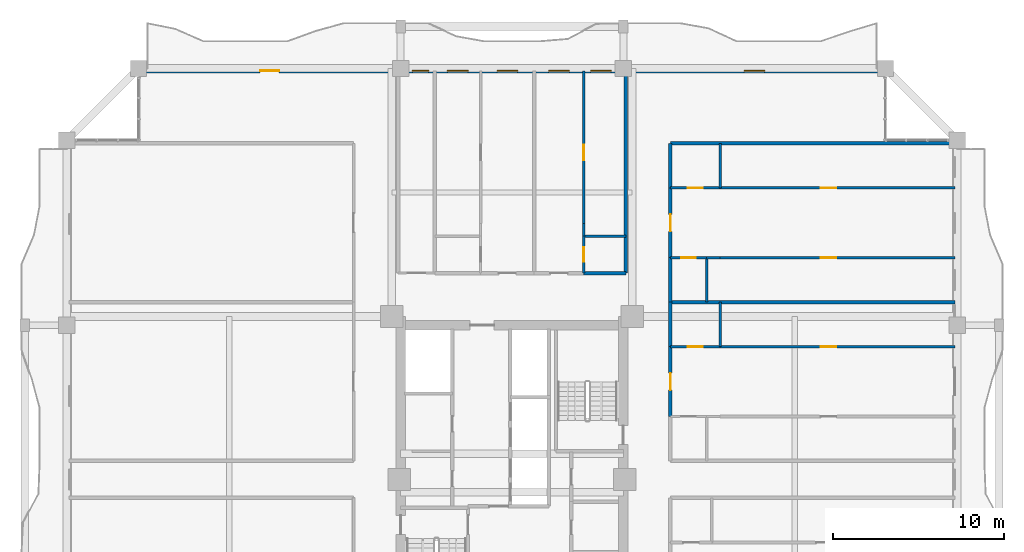
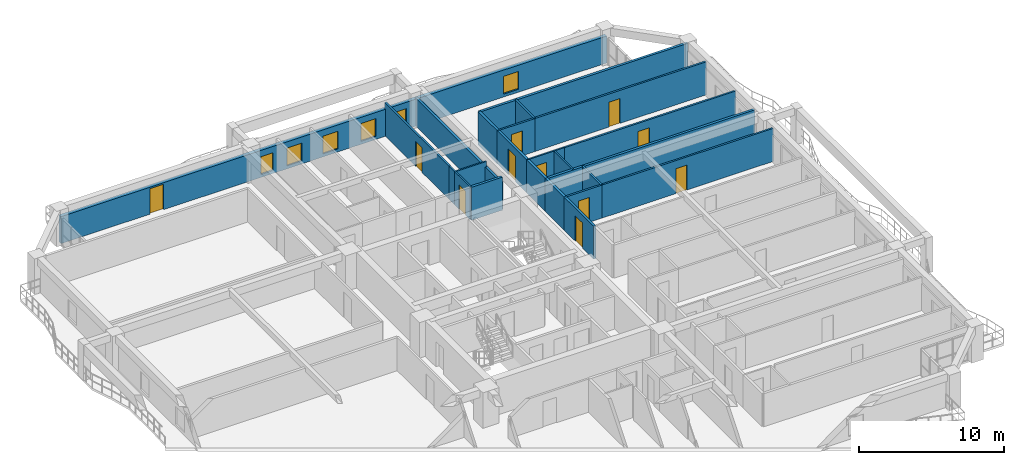
# One storey, part 18 of 24: 24 walls, 11 doors, 6 windows, 17 openings.
"""IFC4 building model written with IfcOpenShell, lengths in metres."""

from ifc_helpers import new_model, si_unit, direction, frame, frame_2d, origin, place, context, subcontext, project, spatial, rectangle, extrude, source, transform, mapped, material, layer, layer_set, type_object, element, fill, save


model = new_model("IFC4")

# Units and contexts
model_context = context("Model", 3, precision=1e-05, world=origin(), true_north=direction((0.0, 1.0)))
body_context = subcontext(model_context, "Body", "Model", "MODEL_VIEW")
ifc_project = project(units=[si_unit("LENGTHUNIT", "METRE"), si_unit("AREAUNIT", "SQUARE_METRE"), si_unit("VOLUMEUNIT", "CUBIC_METRE"), si_unit("PLANEANGLEUNIT", "RADIAN"), si_unit("MASSUNIT", "GRAM", prefix="KILO")], contexts=[model_context])

# Site, building, storey
site_placement = place(None, origin())
site = spatial("IfcSite", under=ifc_project, at=site_placement, CompositionType="ELEMENT")
building_placement = place(site_placement, origin())
building = spatial("IfcBuilding", under=site, at=building_placement, Name="Saelheon Loggia Tower", CompositionType="ELEMENT")
storey_placement = place(building_placement, frame((0.0, 0.0, 98.85009765625)))
storey = spatial("IfcBuildingStorey", under=building, at=storey_placement, Name="L31", CompositionType="ELEMENT", Elevation=98.85009765625)

# Wall, openings, windows, door
ifc_material_1 = material(Name="Architectural Precast Concrete C40/50", Category="concrete")
ifc_layer_1 = layer(ifc_material_1, 0.280029296875)
ifc_layer_set_1 = layer_set([ifc_layer_1], Name="Architectural Precast Concrete C40/50")
wall_type_1 = type_object("IfcWallType", Name="Wall_Ext_Loggia_280", PredefinedType="SOLIDWALL", material=ifc_layer_set_1)
wall_1_placement = place(storey_placement, frame((16.199951171875, 50.860107421875, 0.0), z_axis=(0.0, 0.0, 1.0), x_axis=(1.0, 0.0, 0.0)))
wall_1 = element("IfcWall", 1, at=wall_1_placement, inside=storey, type_object=wall_type_1, Name="L31 North Loggia Inner Wall", PredefinedType="SOLIDWALL", context=body_context, shape_type="SweptSolid", body=[
    extrude(rectangle(XDim=43.60009765625, YDim=0.280029296875, at=frame_2d((21.800048828125, 0.0))), origin(), (0.0, 0.0, 1.0), 2.27978515625),
])
opening_1_placement = place(wall_1_placement, frame((7.10009765625, 0.0, 0.0)))
opening_1 = element("IfcOpeningElement", 2, at=opening_1_placement, cuts=wall_1, Name="Opening TD1", PredefinedType="OPENING", context=body_context, shape_type="SweptSolid", body=[
    extrude(rectangle(XDim=1.10009765625, YDim=2.14990234375, at=frame_2d((0.550048828125, 1.074951171875))), frame((0.0, 0.152099609375, 0.0), z_axis=(0.0, -1.0, 0.0), x_axis=(1.0, 0.0, 0.0)), (0.0, 0.0, 1.0), 0.303955078125),
])
opening_2_placement = place(wall_1_placement, frame((15.982421875, 0.0, 0.25)))
opening_2 = element("IfcOpeningElement", 3, at=opening_2_placement, cuts=wall_1, Name="Opening WN-04", PredefinedType="OPENING", context=body_context, shape_type="SweptSolid", body=[
    extrude(rectangle(XDim=0.949951171875, YDim=1.5, at=frame_2d((0.47509765625, 0.75))), frame((0.0, 0.152099609375, 0.0), z_axis=(0.0, -1.0, 0.0), x_axis=(1.0, 0.0, 0.0)), (0.0, 0.0, 1.0), 0.303955078125),
])
opening_3_placement = place(wall_1_placement, frame((18.033447265625, 0.0, 0.25)))
opening_3 = element("IfcOpeningElement", 4, at=opening_3_placement, cuts=wall_1, Name="Opening WN-03", PredefinedType="OPENING", context=body_context, shape_type="SweptSolid", body=[
    extrude(rectangle(XDim=1.199951171875, YDim=1.5, at=frame_2d((0.60009765625, 0.75))), frame((0.0, 0.152099609375, 0.0), z_axis=(0.0, -1.0, 0.0), x_axis=(1.0, 0.0, 0.0)), (0.0, 0.0, 1.0), 0.303955078125),
])
opening_4_placement = place(wall_1_placement, frame((20.9326171875, 0.0, 0.25)))
opening_4 = element("IfcOpeningElement", 5, at=opening_4_placement, cuts=wall_1, Name="Opening WN-03", PredefinedType="OPENING", context=body_context, shape_type="SweptSolid", body=[
    extrude(rectangle(XDim=1.199951171875, YDim=1.5, at=frame_2d((0.60009765625, 0.75))), frame((0.0, 0.152099609375, 0.0), z_axis=(0.0, -1.0, 0.0), x_axis=(1.0, 0.0, 0.0)), (0.0, 0.0, 1.0), 0.303955078125),
])
opening_5_placement = place(wall_1_placement, frame((23.943115234375, 0.0, 0.25)))
opening_5 = element("IfcOpeningElement", 6, at=opening_5_placement, cuts=wall_1, Name="Opening WN-03", PredefinedType="OPENING", context=body_context, shape_type="SweptSolid", body=[
    extrude(rectangle(XDim=1.199951171875, YDim=1.5, at=frame_2d((0.60009765625, 0.75))), frame((0.0, 0.152099609375, 0.0), z_axis=(0.0, -1.0, 0.0), x_axis=(1.0, 0.0, 0.0)), (0.0, 0.0, 1.0), 0.303955078125),
])
opening_6_placement = place(wall_1_placement, frame((26.386474609375, 0.0, 0.25)))
opening_6 = element("IfcOpeningElement", 7, at=opening_6_placement, cuts=wall_1, Name="Opening WN-03", PredefinedType="OPENING", context=body_context, shape_type="SweptSolid", body=[
    extrude(rectangle(XDim=1.199951171875, YDim=1.5, at=frame_2d((0.60009765625, 0.75))), frame((0.0, 0.152099609375, 0.0), z_axis=(0.0, -1.0, 0.0), x_axis=(1.0, 0.0, 0.0)), (0.0, 0.0, 1.0), 0.303955078125),
])
opening_7_placement = place(wall_1_placement, frame((35.35009765625, 0.0, 0.25)))
opening_7 = element("IfcOpeningElement", 8, at=opening_7_placement, cuts=wall_1, Name="Opening WN-03", PredefinedType="OPENING", context=body_context, shape_type="SweptSolid", body=[
    extrude(rectangle(XDim=1.199951171875, YDim=1.5, at=frame_2d((0.60009765625, 0.75))), frame((0.0, 0.152099609375, 0.0), z_axis=(0.0, -1.0, 0.0), x_axis=(1.0, 0.0, 0.0)), (0.0, 0.0, 1.0), 0.303955078125),
])
ifc_material_2 = material(Name="Thermal-Break Aluminium and Triple Low-E Glass", Category="aluminium")
window_type_1 = type_object("IfcWindowType", Name="Win_Bedroom_1200x1500", PartitioningType="SINGLE_PANEL", PredefinedType="WINDOW", material=ifc_material_2)
shared_shape_1 = source(origin(), body_context, "Body", "SweptSolid", [
    extrude(rectangle(XDim=1.199951171875, YDim=1.5, at=frame_2d((0.60009765625, 0.75))), frame((0.0, 0.030029296875, 0.0), z_axis=(0.0, -1.0, 0.0), x_axis=(1.0, 0.0, 0.0)), (0.0, 0.0, 1.0), 0.06005859375),
])
window_1_placement = place(opening_3_placement, origin())
window_1 = element("IfcWindow", 9, at=window_1_placement, inside=storey, type_object=window_type_1, Name="L31 N Dwelling Window 3", OverallHeight=1.5, OverallWidth=1.199951171875, PartitioningType="SINGLE_PANEL", PredefinedType="WINDOW", context=body_context, shape_type="MappedRepresentation", body=[
    mapped(shared_shape_1, transform((0.0, 0.0, 0.0), scale=1.0)),
])
fill(opening_3, window_1)
window_2_placement = place(opening_4_placement, origin())
window_2 = element("IfcWindow", 10, at=window_2_placement, inside=storey, type_object=window_type_1, Name="L31 N Dwelling Window 4", OverallHeight=1.5, OverallWidth=1.199951171875, PartitioningType="SINGLE_PANEL", PredefinedType="WINDOW", context=body_context, shape_type="MappedRepresentation", body=[
    mapped(shared_shape_1, transform((0.0, 0.0, 0.0), scale=1.0)),
])
fill(opening_4, window_2)
window_3_placement = place(opening_5_placement, origin())
window_3 = element("IfcWindow", 11, at=window_3_placement, inside=storey, type_object=window_type_1, Name="L31 N Dwelling Window 5", OverallHeight=1.5, OverallWidth=1.199951171875, PartitioningType="SINGLE_PANEL", PredefinedType="WINDOW", context=body_context, shape_type="MappedRepresentation", body=[
    mapped(shared_shape_1, transform((0.0, 0.0, 0.0), scale=1.0)),
])
fill(opening_5, window_3)
window_4_placement = place(opening_6_placement, origin())
window_4 = element("IfcWindow", 12, at=window_4_placement, inside=storey, type_object=window_type_1, Name="L31 N Dwelling Window 6", OverallHeight=1.5, OverallWidth=1.199951171875, PartitioningType="SINGLE_PANEL", PredefinedType="WINDOW", context=body_context, shape_type="MappedRepresentation", body=[
    mapped(shared_shape_1, transform((0.0, 0.0, 0.0), scale=1.0)),
])
fill(opening_6, window_4)
window_5_placement = place(opening_7_placement, origin())
window_5 = element("IfcWindow", 13, at=window_5_placement, inside=storey, type_object=window_type_1, Name="L31 N Dwelling Window 7", OverallHeight=1.5, OverallWidth=1.199951171875, PartitioningType="SINGLE_PANEL", PredefinedType="WINDOW", context=body_context, shape_type="MappedRepresentation", body=[
    mapped(shared_shape_1, transform((0.0, 0.0, 0.0), scale=1.0)),
])
fill(opening_7, window_5)
ifc_material_3 = material(Name="Thermal-Break Aluminium Glazed Door", Category="aluminium")
door_type_1 = type_object("IfcDoorType", Name="Door_Terrace_TD1", OperationType="NOTDEFINED", PredefinedType="DOOR", material=ifc_material_3)
shared_shape_2 = source(origin(), body_context, "Body", "SweptSolid", [
    extrude(rectangle(XDim=1.10009765625, YDim=2.14990234375, at=frame_2d((0.550048828125, 1.074951171875))), frame((0.0, 0.02490234375, 0.0), z_axis=(0.0, -1.0, 0.0), x_axis=(1.0, 0.0, 0.0)), (0.0, 0.0, 1.0), 0.050048828125),
])
door_1_placement = place(opening_1_placement, origin())
door_1 = element("IfcDoor", 14, at=door_1_placement, inside=storey, type_object=door_type_1, Name="L31 N Loggia Access Door", OperationType="SINGLE_SWING_LEFT", OverallHeight=2.14990234375, OverallWidth=1.10009765625, PredefinedType="DOOR", context=body_context, shape_type="MappedRepresentation", body=[
    mapped(shared_shape_2, transform((0.0, 0.0, 0.0), scale=1.0)),
])
fill(opening_1, door_1)
window_type_2 = type_object("IfcWindowType", Name="Win_Narrow_950x1500", PartitioningType="SINGLE_PANEL", PredefinedType="WINDOW", material=ifc_material_2)
shared_shape_3 = source(origin(), body_context, "Body", "SweptSolid", [
    extrude(rectangle(XDim=0.949951171875, YDim=1.5, at=frame_2d((0.47509765625, 0.75))), frame((0.0, 0.030029296875, 0.0), z_axis=(0.0, -1.0, 0.0), x_axis=(1.0, 0.0, 0.0)), (0.0, 0.0, 1.0), 0.06005859375),
])
window_6_placement = place(opening_2_placement, origin())
window_6 = element("IfcWindow", 15, at=window_6_placement, inside=storey, type_object=window_type_2, Name="L31 N Dwelling Window 2", OverallHeight=1.5, OverallWidth=0.949951171875, PartitioningType="SINGLE_PANEL", PredefinedType="WINDOW", context=body_context, shape_type="MappedRepresentation", body=[
    mapped(shared_shape_3, transform((0.0, 0.0, 0.0), scale=1.0)),
])
fill(opening_2, window_6)

# Wall, opening, door
ifc_material_4 = material(Name="Lightweight Autoclaved Aerated Concrete Block and Acoustic Gypsum", Category="concrete")
ifc_layer_2 = layer(ifc_material_4, 0.14990234375)
ifc_layer_set_2 = layer_set([ifc_layer_2], Name="Lightweight Autoclaved Aerated Concrete Block and Acoustic Gypsum")
wall_type_2 = type_object("IfcWallType", Name="Wall_Part_150", PredefinedType="PARTITIONING", material=ifc_layer_set_2)
wall_2_placement = place(storey_placement, frame((42.18798828125, 41.949951171875, 0.0), z_axis=(0.0, 0.0, 1.0), x_axis=(0.0, 1.0, 0.0)))
wall_2 = element("IfcWall", 16, at=wall_2_placement, inside=storey, type_object=wall_type_2, Name="L31 N Partition U17", PredefinedType="PARTITIONING", context=body_context, shape_type="SweptSolid", body=[
    extrude(rectangle(XDim=8.900146484375, YDim=0.14990234375, at=frame_2d((4.4501953125, 0.0))), origin(), (0.0, 0.0, 1.0), 2.789794921875),
])
opening_8_placement = place(wall_2_placement, frame((3.686767578125, 0.0, 0.0)))
opening_8 = element("IfcOpeningElement", 17, at=opening_8_placement, cuts=wall_2, Name="Opening D-IN2", PredefinedType="OPENING", context=body_context, shape_type="SweptSolid", body=[
    extrude(rectangle(XDim=0.89990234375, YDim=2.10009765625, at=frame_2d((0.449951171875, 1.050048828125))), frame((0.0, 0.0869140625, 0.0), z_axis=(0.0, -1.0, 0.0), x_axis=(1.0, 0.0, 0.0)), (0.0, 0.0, 1.0), 0.173828125),
])
ifc_material_5 = material(Name="Engineered Oak Flush Door", Category="timber")
door_type_2 = type_object("IfcDoorType", Name="Door_Int_900", OperationType="NOTDEFINED", PredefinedType="DOOR", material=ifc_material_5)
shared_shape_4 = source(origin(), body_context, "Body", "SweptSolid", [
    extrude(rectangle(XDim=0.89990234375, YDim=2.10009765625, at=frame_2d((0.449951171875, 1.050048828125))), frame((0.0, 0.02490234375, 0.0), z_axis=(0.0, -1.0, 0.0), x_axis=(1.0, 0.0, 0.0)), (0.0, 0.0, 1.0), 0.050048828125),
])
door_2_placement = place(opening_8_placement, origin())
door_2 = element("IfcDoor", 18, at=door_2_placement, inside=storey, type_object=door_type_2, Name="Unit U03 Kitchen Door", OperationType="SINGLE_SWING_LEFT", OverallHeight=2.10009765625, OverallWidth=0.89990234375, PredefinedType="DOOR", context=body_context, shape_type="MappedRepresentation", body=[
    mapped(shared_shape_4, transform((0.0, 0.0, 0.0), scale=1.0)),
])
fill(opening_8, door_2)

# Wall
wall_3_placement = place(storey_placement, frame((50.14990234375, 34.75, 0.0), z_axis=(0.0, 0.0, 1.0), x_axis=(0.0, 1.0, 0.0)))
element("IfcWall", 19, at=wall_3_placement, inside=storey, type_object=wall_type_2, Name="L31 EN Partition V07", PredefinedType="PARTITIONING", context=body_context, shape_type="SweptSolid", body=[
    extrude(rectangle(XDim=2.60009765625, YDim=0.14990234375, at=frame_2d((1.300048828125, 0.0))), origin(), (0.0, 0.0, 1.0), 2.789794921875),
])

# Wall, opening, door
wall_4_placement = place(storey_placement, frame((47.25, 34.75, 0.0), z_axis=(0.0, 0.0, 1.0), x_axis=(1.0, 0.0, 0.0)))
wall_4 = element("IfcWall", 20, at=wall_4_placement, inside=storey, type_object=wall_type_2, Name="L31 EN Partition U11", PredefinedType="PARTITIONING", context=body_context, shape_type="SweptSolid", body=[
    extrude(rectangle(XDim=2.89990234375, YDim=0.14990234375, at=frame_2d((1.449951171875, 0.0))), origin(), (0.0, 0.0, 1.0), 2.789794921875),
])
opening_9_placement = place(wall_4_placement, frame((1.0, 0.0, 0.0)))
opening_9 = element("IfcOpeningElement", 21, at=opening_9_placement, cuts=wall_4, Name="Opening D-IN2", PredefinedType="OPENING", context=body_context, shape_type="SweptSolid", body=[
    extrude(rectangle(XDim=0.89990234375, YDim=2.10009765625, at=frame_2d((0.449951171875, 1.050048828125))), frame((0.0, 0.0869140625, 0.0), z_axis=(0.0, -1.0, 0.0), x_axis=(1.0, 0.0, 0.0)), (0.0, 0.0, 1.0), 0.173828125),
])
door_3_placement = place(opening_9_placement, origin())
door_3 = element("IfcDoor", 22, at=door_3_placement, inside=storey, type_object=door_type_2, Name="Unit U06 Dressing Closet Door", OperationType="SINGLE_SWING_LEFT", OverallHeight=2.10009765625, OverallWidth=0.89990234375, PredefinedType="DOOR", context=body_context, shape_type="MappedRepresentation", body=[
    mapped(shared_shape_4, transform((0.0, 0.0, 0.0), scale=1.0)),
])
fill(opening_9, door_3)

wall_5_placement = place(storey_placement, frame((50.14990234375, 34.75, 0.0), z_axis=(0.0, 0.0, 1.0), x_axis=(1.0, 0.0, 0.0)))
wall_5 = element("IfcWall", 23, at=wall_5_placement, inside=storey, type_object=wall_type_2, Name="L31 EN Partition U12", PredefinedType="PARTITIONING", context=body_context, shape_type="SweptSolid", body=[
    extrude(rectangle(XDim=13.7001953125, YDim=0.14990234375, at=frame_2d((6.85009765625, 0.0))), origin(), (0.0, 0.0, 1.0), 2.789794921875),
])
opening_10_placement = place(wall_5_placement, frame((5.88671875, 0.0, 0.0)))
opening_10 = element("IfcOpeningElement", 24, at=opening_10_placement, cuts=wall_5, Name="Opening D-IN2", PredefinedType="OPENING", context=body_context, shape_type="SweptSolid", body=[
    extrude(rectangle(XDim=0.89990234375, YDim=2.10009765625, at=frame_2d((0.449951171875, 1.050048828125))), frame((0.0, 0.0869140625, 0.0), z_axis=(0.0, -1.0, 0.0), x_axis=(1.0, 0.0, 0.0)), (0.0, 0.0, 1.0), 0.173828125),
])
door_4_placement = place(opening_10_placement, origin())
door_4 = element("IfcDoor", 25, at=door_4_placement, inside=storey, type_object=door_type_2, Name="Unit U06 Bedroom 1 Door", OperationType="SINGLE_SWING_RIGHT", OverallHeight=2.10009765625, OverallWidth=0.89990234375, PredefinedType="DOOR", context=body_context, shape_type="MappedRepresentation", body=[
    mapped(shared_shape_4, transform((0.0, 0.0, 0.0), scale=1.0)),
])
fill(opening_10, door_4)

# Wall
wall_6_placement = place(storey_placement, frame((50.14990234375, 44.02001953125, 0.0), z_axis=(0.0, 0.0, 1.0), x_axis=(0.0, 1.0, 0.0)))
element("IfcWall", 26, at=wall_6_placement, inside=storey, type_object=wall_type_2, Name="L31 EN Partition V18", PredefinedType="PARTITIONING", context=body_context, shape_type="SweptSolid", body=[
    extrude(rectangle(XDim=2.60009765625, YDim=0.14990234375, at=frame_2d((1.300048828125, 0.0))), origin(), (0.0, 0.0, 1.0), 2.789794921875),
])

# Wall, opening, door
wall_7_placement = place(storey_placement, frame((50.14990234375, 39.945556640625, 0.0), z_axis=(0.0, 0.0, 1.0), x_axis=(1.0, 0.0, 0.0)))
wall_7 = element("IfcWall", 27, at=wall_7_placement, inside=storey, type_object=wall_type_2, Name="L31 EN Partition U21", PredefinedType="PARTITIONING", context=body_context, shape_type="SweptSolid", body=[
    extrude(rectangle(XDim=13.7001953125, YDim=0.14990234375, at=frame_2d((6.85009765625, 0.0))), origin(), (0.0, 0.0, 1.0), 2.789794921875),
])
opening_11_placement = place(wall_7_placement, frame((5.88671875, 0.0, 0.0)))
opening_11 = element("IfcOpeningElement", 28, at=opening_11_placement, cuts=wall_7, Name="Opening D-IN2", PredefinedType="OPENING", context=body_context, shape_type="SweptSolid", body=[
    extrude(rectangle(XDim=0.89990234375, YDim=2.10009765625, at=frame_2d((0.449951171875, 1.050048828125))), frame((0.0, 0.0869140625, 0.0), z_axis=(0.0, -1.0, 0.0), x_axis=(1.0, 0.0, 0.0)), (0.0, 0.0, 1.0), 0.173828125),
])
door_5_placement = place(opening_11_placement, origin())
door_5 = element("IfcDoor", 29, at=door_5_placement, inside=storey, type_object=door_type_2, Name="Unit U07 Kitchen Door", OperationType="SINGLE_SWING_LEFT", OverallHeight=2.10009765625, OverallWidth=0.89990234375, PredefinedType="DOOR", context=body_context, shape_type="MappedRepresentation", body=[
    mapped(shared_shape_4, transform((0.0, 0.0, 0.0), scale=1.0)),
])
fill(opening_11, door_5)

wall_8_placement = place(storey_placement, frame((47.25, 44.02001953125, 0.0), z_axis=(0.0, 0.0, 1.0), x_axis=(1.0, 0.0, 0.0)))
wall_8 = element("IfcWall", 30, at=wall_8_placement, inside=storey, type_object=wall_type_2, Name="L31 EN Partition U22", PredefinedType="PARTITIONING", context=body_context, shape_type="SweptSolid", body=[
    extrude(rectangle(XDim=2.89990234375, YDim=0.14990234375, at=frame_2d((1.449951171875, 0.0))), origin(), (0.0, 0.0, 1.0), 2.789794921875),
])
opening_12_placement = place(wall_8_placement, frame((1.0, 0.0, 0.0)))
opening_12 = element("IfcOpeningElement", 31, at=opening_12_placement, cuts=wall_8, Name="Opening D-IN2", PredefinedType="OPENING", context=body_context, shape_type="SweptSolid", body=[
    extrude(rectangle(XDim=0.89990234375, YDim=2.10009765625, at=frame_2d((0.449951171875, 1.050048828125))), frame((0.0, 0.0869140625, 0.0), z_axis=(0.0, -1.0, 0.0), x_axis=(1.0, 0.0, 0.0)), (0.0, 0.0, 1.0), 0.173828125),
])
door_6_placement = place(opening_12_placement, origin())
door_6 = element("IfcDoor", 32, at=door_6_placement, inside=storey, type_object=door_type_2, Name="Unit U07 Dressing Closet Door", OperationType="SINGLE_SWING_RIGHT", OverallHeight=2.10009765625, OverallWidth=0.89990234375, PredefinedType="DOOR", context=body_context, shape_type="MappedRepresentation", body=[
    mapped(shared_shape_4, transform((0.0, 0.0, 0.0), scale=1.0)),
])
fill(opening_12, door_6)

wall_9_placement = place(storey_placement, frame((50.14990234375, 44.02001953125, 0.0), z_axis=(0.0, 0.0, 1.0), x_axis=(1.0, 0.0, 0.0)))
wall_9 = element("IfcWall", 33, at=wall_9_placement, inside=storey, type_object=wall_type_2, Name="L31 EN Partition U23", PredefinedType="PARTITIONING", context=body_context, shape_type="SweptSolid", body=[
    extrude(rectangle(XDim=13.7001953125, YDim=0.14990234375, at=frame_2d((6.85009765625, 0.0))), origin(), (0.0, 0.0, 1.0), 2.789794921875),
])
opening_13_placement = place(wall_9_placement, frame((5.88671875, 0.0, 0.0)))
opening_13 = element("IfcOpeningElement", 34, at=opening_13_placement, cuts=wall_9, Name="Opening D-IN2", PredefinedType="OPENING", context=body_context, shape_type="SweptSolid", body=[
    extrude(rectangle(XDim=0.89990234375, YDim=2.10009765625, at=frame_2d((0.449951171875, 1.050048828125))), frame((0.0, 0.0869140625, 0.0), z_axis=(0.0, -1.0, 0.0), x_axis=(1.0, 0.0, 0.0)), (0.0, 0.0, 1.0), 0.173828125),
])
door_7_placement = place(opening_13_placement, origin())
door_7 = element("IfcDoor", 35, at=door_7_placement, inside=storey, type_object=door_type_2, Name="Unit U07 Bedroom 1 Door", OperationType="SINGLE_SWING_LEFT", OverallHeight=2.10009765625, OverallWidth=0.89990234375, PredefinedType="DOOR", context=body_context, shape_type="MappedRepresentation", body=[
    mapped(shared_shape_4, transform((0.0, 0.0, 0.0), scale=1.0)),
])
fill(opening_13, door_7)

# Walls
ifc_material_6 = material(Name="Double Acoustic Stud and Fireboard Partition", Category="gypsum")
ifc_layer_3 = layer(ifc_material_6, 0.199951171875)
ifc_layer_set_3 = layer_set([ifc_layer_3], Name="Double Acoustic Stud and Fireboard Partition")
wall_type_3 = type_object("IfcWallType", Name="Wall_Party_200", PredefinedType="PARTITIONING", material=ifc_layer_set_3)
wall_10_placement = place(storey_placement, frame((44.64990234375, 39.050048828125, 0.0), z_axis=(0.0, 0.0, 1.0), x_axis=(0.0, 1.0, 0.0)))
element("IfcWall", 36, at=wall_10_placement, inside=storey, type_object=wall_type_3, Name="L31 N Partition U02", PredefinedType="PARTITIONING", context=body_context, shape_type="SweptSolid", body=[
    extrude(rectangle(XDim=11.800048828125, YDim=0.199951171875, at=frame_2d((5.89990234375, 0.0))), origin(), (0.0, 0.0, 1.0), 2.33984375),
])
wall_11_placement = place(storey_placement, frame((42.18798828125, 39.050048828125, 0.0), z_axis=(0.0, 0.0, 1.0), x_axis=(1.0, 0.0, 0.0)))
element("IfcWall", 37, at=wall_11_placement, inside=storey, type_object=wall_type_3, Name="L31 N Partition V13", PredefinedType="PARTITIONING", context=body_context, shape_type="SweptSolid", body=[
    extrude(rectangle(XDim=2.4619140625, YDim=0.199951171875, at=frame_2d((1.23095703125, 0.0))), origin(), (0.0, 0.0, 1.0), 2.789794921875),
])
wall_12_placement = place(storey_placement, frame((47.25, 46.6201171875, 0.0), z_axis=(0.0, 0.0, 1.0), x_axis=(1.0, 0.0, 0.0)))
element("IfcWall", 38, at=wall_12_placement, inside=storey, type_object=wall_type_3, Name="L31 EN Partition U02", PredefinedType="PARTITIONING", context=body_context, shape_type="SweptSolid", body=[
    extrude(rectangle(XDim=16.60009765625, YDim=0.199951171875, at=frame_2d((8.300048828125, 0.0))), origin(), (0.0, 0.0, 1.0), 2.789794921875),
])

# Wall, opening, door
wall_13_placement = place(storey_placement, frame((47.25, 30.675537109375, 0.0), z_axis=(0.0, 0.0, 1.0), x_axis=(0.0, 1.0, 0.0)))
wall_13 = element("IfcWall", 39, at=wall_13_placement, inside=storey, type_object=wall_type_3, Name="L31 EN Partition V04", PredefinedType="PARTITIONING", context=body_context, shape_type="SweptSolid", body=[
    extrude(rectangle(XDim=4.074462890625, YDim=0.199951171875, at=frame_2d((2.037109375, 0.0))), origin(), (0.0, 0.0, 1.0), 2.789794921875),
])
opening_14_placement = place(wall_13_placement, frame((1.537109375, 0.0, 0.0)))
opening_14 = element("IfcOpeningElement", 40, at=opening_14_placement, cuts=wall_13, Name="Opening D-FD1", PredefinedType="OPENING", context=body_context, shape_type="SweptSolid", body=[
    extrude(rectangle(XDim=1.0, YDim=2.14990234375, at=frame_2d((0.5, 1.074951171875))), frame((0.0, 0.112060546875, 0.0), z_axis=(0.0, -1.0, 0.0), x_axis=(1.0, 0.0, 0.0)), (0.0, 0.0, 1.0), 0.223876953125),
])
ifc_material_7 = material(Name="Fire-Rated Engineered Timber Entrance Door", Category="wood")
door_type_3 = type_object("IfcDoorType", Name="Door_Flat_FD30S", OperationType="NOTDEFINED", PredefinedType="DOOR", material=ifc_material_7)
shared_shape_5 = source(origin(), body_context, "Body", "SweptSolid", [
    extrude(rectangle(XDim=1.0, YDim=2.14990234375, at=frame_2d((0.5, 1.074951171875))), frame((0.0, 0.02490234375, 0.0), z_axis=(0.0, -1.0, 0.0), x_axis=(1.0, 0.0, 0.0)), (0.0, 0.0, 1.0), 0.050048828125),
])
door_8_placement = place(opening_14_placement, origin())
door_8 = element("IfcDoor", 41, at=door_8_placement, inside=storey, type_object=door_type_3, Name="Unit U06 Entrance Door", OperationType="SINGLE_SWING_RIGHT", OverallHeight=2.14990234375, OverallWidth=1.0, PredefinedType="DOOR", context=body_context, shape_type="MappedRepresentation", body=[
    mapped(shared_shape_5, transform((0.0, 0.0, 0.0), scale=1.0)),
])
fill(opening_14, door_8)

# Walls
wall_14_placement = place(storey_placement, frame((47.25, 34.75, 0.0), z_axis=(0.0, 0.0, 1.0), x_axis=(0.0, 1.0, 0.0)))
element("IfcWall", 42, at=wall_14_placement, inside=storey, type_object=wall_type_3, Name="L31 EN Partition V05", PredefinedType="PARTITIONING", context=body_context, shape_type="SweptSolid", body=[
    extrude(rectangle(XDim=2.60009765625, YDim=0.199951171875, at=frame_2d((1.300048828125, 0.0))), origin(), (0.0, 0.0, 1.0), 2.789794921875),
])
wall_15_placement = place(storey_placement, frame((47.25, 37.35009765625, 0.0), z_axis=(0.0, 0.0, 1.0), x_axis=(1.0, 0.0, 0.0)))
element("IfcWall", 43, at=wall_15_placement, inside=storey, type_object=wall_type_3, Name="L31 EN Partition U13", PredefinedType="PARTITIONING", context=body_context, shape_type="SweptSolid", body=[
    extrude(rectangle(XDim=16.60009765625, YDim=0.199951171875, at=frame_2d((8.300048828125, 0.0))), origin(), (0.0, 0.0, 1.0), 2.789794921875),
])
wall_16_placement = place(storey_placement, frame((47.25, 37.35009765625, 0.0), z_axis=(0.0, 0.0, 1.0), x_axis=(0.0, 1.0, 0.0)))
element("IfcWall", 44, at=wall_16_placement, inside=storey, type_object=wall_type_3, Name="L31 EN Partition V14", PredefinedType="PARTITIONING", context=body_context, shape_type="SweptSolid", body=[
    extrude(rectangle(XDim=2.595458984375, YDim=0.199951171875, at=frame_2d((1.2978515625, 0.0))), origin(), (0.0, 0.0, 1.0), 2.789794921875),
])

# Wall, opening, door
wall_17_placement = place(storey_placement, frame((47.25, 39.945556640625, 0.0), z_axis=(0.0, 0.0, 1.0), x_axis=(0.0, 1.0, 0.0)))
wall_17 = element("IfcWall", 45, at=wall_17_placement, inside=storey, type_object=wall_type_3, Name="L31 EN Partition V15", PredefinedType="PARTITIONING", context=body_context, shape_type="SweptSolid", body=[
    extrude(rectangle(XDim=4.074462890625, YDim=0.199951171875, at=frame_2d((2.037109375, 0.0))), origin(), (0.0, 0.0, 1.0), 2.789794921875),
])
opening_15_placement = place(wall_17_placement, frame((1.537109375, 0.0, 0.0)))
opening_15 = element("IfcOpeningElement", 46, at=opening_15_placement, cuts=wall_17, Name="Opening D-FD1", PredefinedType="OPENING", context=body_context, shape_type="SweptSolid", body=[
    extrude(rectangle(XDim=1.0, YDim=2.14990234375, at=frame_2d((0.5, 1.074951171875))), frame((0.0, 0.112060546875, 0.0), z_axis=(0.0, -1.0, 0.0), x_axis=(1.0, 0.0, 0.0)), (0.0, 0.0, 1.0), 0.223876953125),
])
door_9_placement = place(opening_15_placement, origin())
door_9 = element("IfcDoor", 47, at=door_9_placement, inside=storey, type_object=door_type_3, Name="Unit U07 Entrance Door", OperationType="SINGLE_SWING_LEFT", OverallHeight=2.14990234375, OverallWidth=1.0, PredefinedType="DOOR", context=body_context, shape_type="MappedRepresentation", body=[
    mapped(shared_shape_5, transform((0.0, 0.0, 0.0), scale=1.0)),
])
fill(opening_15, door_9)

# Wall
wall_18_placement = place(storey_placement, frame((47.25, 44.02001953125, 0.0), z_axis=(0.0, 0.0, 1.0), x_axis=(0.0, 1.0, 0.0)))
element("IfcWall", 48, at=wall_18_placement, inside=storey, type_object=wall_type_3, Name="L31 EN Partition V16", PredefinedType="PARTITIONING", context=body_context, shape_type="SweptSolid", body=[
    extrude(rectangle(XDim=2.60009765625, YDim=0.199951171875, at=frame_2d((1.300048828125, 0.0))), origin(), (0.0, 0.0, 1.0), 2.789794921875),
])

# Wall, opening, door
ifc_material_8 = material(Name="Moisture-Resistant Cement Board Partition", Category="gypsum")
ifc_layer_4 = layer(ifc_material_8, 0.1201171875)
ifc_layer_set_4 = layer_set([ifc_layer_4], Name="Moisture-Resistant Cement Board Partition")
wall_type_4 = type_object("IfcWallType", Name="Wall_WetPart_120", PredefinedType="PARTITIONING", material=ifc_layer_set_4)
wall_19_placement = place(storey_placement, frame((42.18798828125, 39.050048828125, 0.0), z_axis=(0.0, 0.0, 1.0), x_axis=(0.0, 1.0, 0.0)))
wall_19 = element("IfcWall", 49, at=wall_19_placement, inside=storey, type_object=wall_type_4, Name="L31 N Partition U14", PredefinedType="PARTITIONING", context=body_context, shape_type="SweptSolid", body=[
    extrude(rectangle(XDim=2.14990234375, YDim=0.1201171875, at=frame_2d((1.074951171875, 0.0))), origin(), (0.0, 0.0, 1.0), 2.789794921875),
])
opening_16_placement = place(wall_19_placement, frame((0.64990234375, 0.0, 0.0)))
opening_16 = element("IfcOpeningElement", 50, at=opening_16_placement, cuts=wall_19, Name="Opening D-BT1", PredefinedType="OPENING", context=body_context, shape_type="SweptSolid", body=[
    extrude(rectangle(XDim=0.85009765625, YDim=2.050048828125, at=frame_2d((0.425048828125, 1.02490234375))), frame((0.0, 0.072021484375, 0.0), z_axis=(0.0, -1.0, 0.0), x_axis=(1.0, 0.0, 0.0)), (0.0, 0.0, 1.0), 0.14404296875),
])
ifc_material_9 = material(Name="Moisture-Resistant Laminate Timber Door", Category="wood")
door_type_4 = type_object("IfcDoorType", Name="Door_Bath_850", OperationType="NOTDEFINED", PredefinedType="DOOR", material=ifc_material_9)
shared_shape_6 = source(origin(), body_context, "Body", "SweptSolid", [
    extrude(rectangle(XDim=0.85009765625, YDim=2.050048828125, at=frame_2d((0.425048828125, 1.02490234375))), frame((0.0, 0.02490234375, 0.0), z_axis=(0.0, -1.0, 0.0), x_axis=(1.0, 0.0, 0.0)), (0.0, 0.0, 1.0), 0.050048828125),
])
door_10_placement = place(opening_16_placement, origin())
door_10 = element("IfcDoor", 51, at=door_10_placement, inside=storey, type_object=door_type_4, Name="Unit U03 Bathroom Door", OperationType="SINGLE_SWING_RIGHT", OverallHeight=2.050048828125, OverallWidth=0.85009765625, PredefinedType="DOOR", context=body_context, shape_type="MappedRepresentation", body=[
    mapped(shared_shape_6, transform((0.0, 0.0, 0.0), scale=1.0)),
])
fill(opening_16, door_10)

# Walls
wall_20_placement = place(storey_placement, frame((42.18798828125, 41.199951171875, 0.0), z_axis=(0.0, 0.0, 1.0), x_axis=(0.0, 1.0, 0.0)))
element("IfcWall", 52, at=wall_20_placement, inside=storey, type_object=wall_type_4, Name="L31 N Partition U15", PredefinedType="PARTITIONING", context=body_context, shape_type="SweptSolid", body=[
    extrude(rectangle(XDim=0.75, YDim=0.1201171875, at=frame_2d((0.375, 0.0))), origin(), (0.0, 0.0, 1.0), 2.789794921875),
])
wall_21_placement = place(storey_placement, frame((42.18798828125, 41.199951171875, 0.0), z_axis=(0.0, 0.0, 1.0), x_axis=(1.0, 0.0, 0.0)))
element("IfcWall", 53, at=wall_21_placement, inside=storey, type_object=wall_type_4, Name="L31 N Partition V16", PredefinedType="PARTITIONING", context=body_context, shape_type="SweptSolid", body=[
    extrude(rectangle(XDim=2.4619140625, YDim=0.1201171875, at=frame_2d((1.23095703125, 0.0))), origin(), (0.0, 0.0, 1.0), 2.789794921875),
])
wall_22_placement = place(storey_placement, frame((49.3701171875, 37.35009765625, 0.0), z_axis=(0.0, 0.0, 1.0), x_axis=(0.0, 1.0, 0.0)))
element("IfcWall", 54, at=wall_22_placement, inside=storey, type_object=wall_type_4, Name="L31 EN Partition V17", PredefinedType="PARTITIONING", context=body_context, shape_type="SweptSolid", body=[
    extrude(rectangle(XDim=2.595458984375, YDim=0.1201171875, at=frame_2d((1.2978515625, 0.0))), origin(), (0.0, 0.0, 1.0), 2.789794921875),
])

# Wall, opening, door
wall_23_placement = place(storey_placement, frame((47.25, 39.945556640625, 0.0), z_axis=(0.0, 0.0, 1.0), x_axis=(1.0, 0.0, 0.0)))
wall_23 = element("IfcWall", 55, at=wall_23_placement, inside=storey, type_object=wall_type_4, Name="L31 EN Partition U19", PredefinedType="PARTITIONING", context=body_context, shape_type="SweptSolid", body=[
    extrude(rectangle(XDim=2.1201171875, YDim=0.1201171875, at=frame_2d((1.06005859375, 0.0))), origin(), (0.0, 0.0, 1.0), 2.789794921875),
])
opening_17_placement = place(wall_23_placement, frame((0.635009765625, 0.0, 0.0)))
opening_17 = element("IfcOpeningElement", 56, at=opening_17_placement, cuts=wall_23, Name="Opening D-BT1", PredefinedType="OPENING", context=body_context, shape_type="SweptSolid", body=[
    extrude(rectangle(XDim=0.85009765625, YDim=2.050048828125, at=frame_2d((0.425048828125, 1.02490234375))), frame((0.0, 0.072021484375, 0.0), z_axis=(0.0, -1.0, 0.0), x_axis=(1.0, 0.0, 0.0)), (0.0, 0.0, 1.0), 0.14404296875),
])
door_11_placement = place(opening_17_placement, origin())
door_11 = element("IfcDoor", 57, at=door_11_placement, inside=storey, type_object=door_type_4, Name="Unit U07 Bathroom Door", OperationType="SINGLE_SWING_RIGHT", OverallHeight=2.050048828125, OverallWidth=0.85009765625, PredefinedType="DOOR", context=body_context, shape_type="MappedRepresentation", body=[
    mapped(shared_shape_6, transform((0.0, 0.0, 0.0), scale=1.0)),
])
fill(opening_17, door_11)

# Wall
wall_24_placement = place(storey_placement, frame((49.3701171875, 39.945556640625, 0.0), z_axis=(0.0, 0.0, 1.0), x_axis=(1.0, 0.0, 0.0)))
element("IfcWall", 58, at=wall_24_placement, inside=storey, type_object=wall_type_4, Name="L31 EN Partition U20", PredefinedType="PARTITIONING", context=body_context, shape_type="SweptSolid", body=[
    extrude(rectangle(XDim=0.77978515625, YDim=0.1201171875, at=frame_2d((0.389892578125, 0.0))), origin(), (0.0, 0.0, 1.0), 2.789794921875),
])

save(model, "model.ifc")
